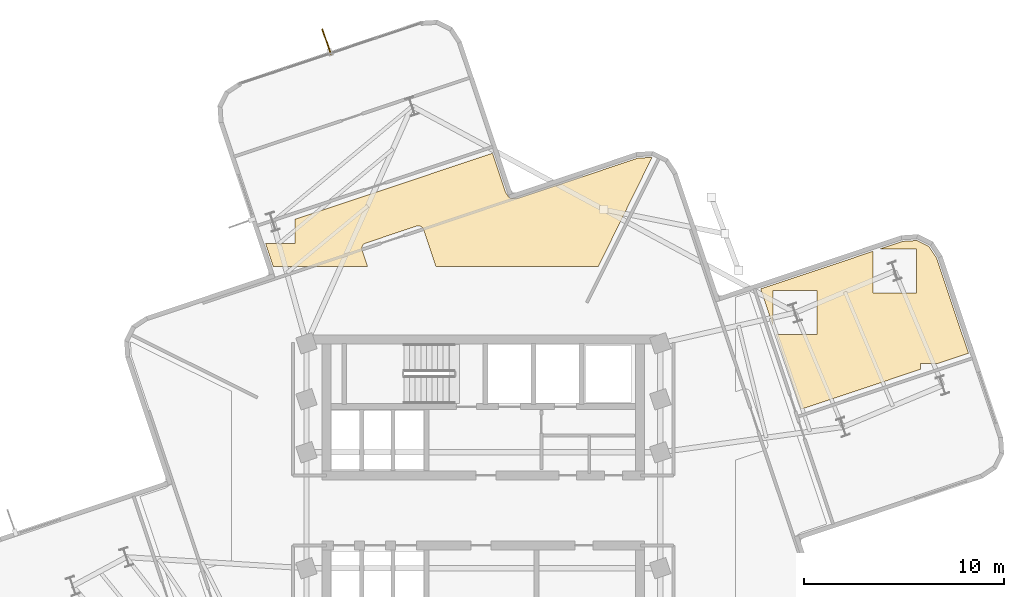
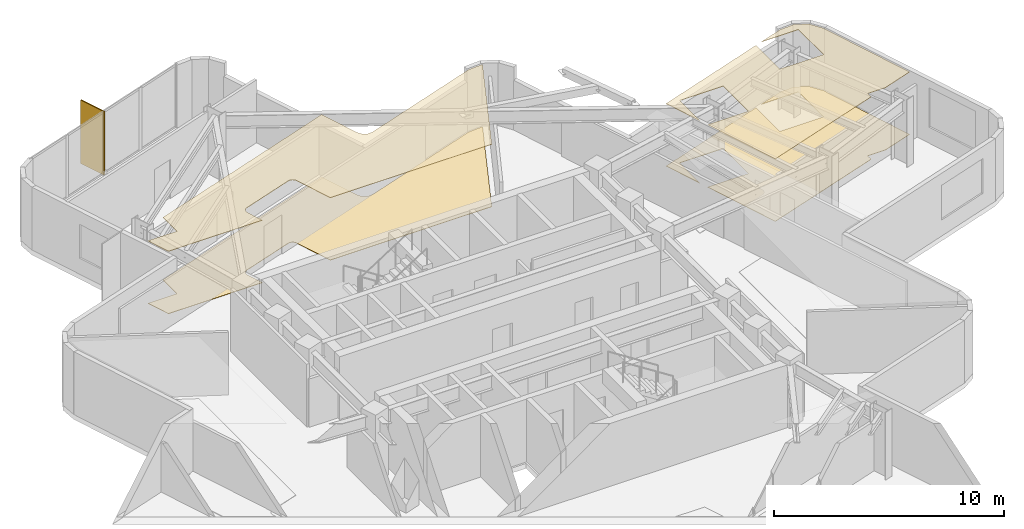
# One storey, part 12 of 12: 4 coverings, 1 shading device.
"""IFC4 building model written with IfcOpenShell, lengths in metres."""

from ifc_helpers import new_model, si_unit, direction, frame, origin, origin_2d, place, context, subcontext, project, spatial, polyline, rectangle, outline, extrude, material, layer, layer_set, type_object, element, save


model = new_model("IFC4")

# Units and contexts
model_context = context("Model", 3, precision=1e-05, world=origin(), true_north=direction((0.0, 1.0)))
body_context = subcontext(model_context, "Body", "Model", "MODEL_VIEW")
ifc_project = project(units=[si_unit("LENGTHUNIT", "METRE"), si_unit("AREAUNIT", "SQUARE_METRE"), si_unit("VOLUMEUNIT", "CUBIC_METRE"), si_unit("PLANEANGLEUNIT", "RADIAN"), si_unit("MASSUNIT", "GRAM", prefix="KILO")], contexts=[model_context])

# Site, building, storey
site_placement = place(None, origin())
site = spatial("IfcSite", under=ifc_project, at=site_placement, CompositionType="ELEMENT")
building_placement = place(site_placement, origin())
building = spatial("IfcBuilding", under=site, at=building_placement, Name="Solmarez Civic Tower", CompositionType="ELEMENT")
storey_placement = place(building_placement, frame((0.0, 0.0, 163.080078125)))
storey = spatial("IfcBuildingStorey", under=building, at=storey_placement, Name="L43", CompositionType="ELEMENT", Elevation=163.080078125)

# Coverings
ifc_material_1 = material(Name="Perforated Mineral-Fibre Acoustic Ceiling")
ifc_layer_1 = layer(ifc_material_1, 0.02490234375)
ifc_layer_set_1 = layer_set([ifc_layer_1], Name="Perforated Mineral-Fibre Acoustic Ceiling")
covering_type_1 = type_object("IfcCoveringType", Name="COV-CEIL-ACOUSTIC", PredefinedType="CEILING", material=ifc_layer_set_1)
covering_1_placement = place(storey_placement, frame((0.0, 0.0, 3.31494140625)))
element("IfcCovering", 1, at=covering_1_placement, inside=storey, type_object=covering_type_1, Name="L43 Suspended Acoustic Ceiling 1", PredefinedType="CEILING", context=body_context, shape_type="SweptSolid", body=[
    extrude(outline(polyline([(-9.43310546875, 14.549072265625), (-9.43310546875, 13.3330078125), (-10.89404296875, 13.3330078125), (-10.513916015625, 12.199951171875), (-5.7900390625, 12.199951171875), (-6.06298828125, 13.01611328125), (-6.068115234375, 13.030029296875), (-6.072998046875, 13.050048828125), (-6.073974609375, 13.054931640625), (-6.076904296875, 13.075927734375), (-6.077880859375, 13.097900390625), (-6.077880859375, 13.10693359375), (-6.076904296875, 13.12890625), (-6.073974609375, 13.14990234375), (-6.072998046875, 13.155029296875), (-6.072021484375, 13.159912109375), (-6.06494140625, 13.18701171875), (-6.06201171875, 13.196044921875), (-6.053955078125, 13.215087890625), (-6.044921875, 13.23291015625), (-6.0400390625, 13.241943359375), (-6.030029296875, 13.259033203125), (-6.01708984375, 13.27490234375), (-6.00390625, 13.291015625), (-5.9970703125, 13.298095703125), (-5.97802734375, 13.31396484375), (-5.9580078125, 13.3291015625), (-5.949951171875, 13.333984375), (-5.922119140625, 13.347900390625), (-5.9130859375, 13.35205078125), (-5.89404296875, 13.360107421875), (-3.3359375, 14.216064453125), (-3.322021484375, 14.220947265625), (-3.302001953125, 14.22607421875), (-3.297119140625, 14.22705078125), (-3.27587890625, 14.22998046875), (-3.25390625, 14.23095703125), (-3.2451171875, 14.23095703125), (-3.222900390625, 14.22998046875), (-3.201904296875, 14.22705078125), (-3.197021484375, 14.22607421875), (-3.19189453125, 14.22509765625), (-3.1650390625, 14.218017578125), (-3.156005859375, 14.215087890625), (-3.134033203125, 14.2060546875), (-3.113037109375, 14.195068359375), (-3.10791015625, 14.19189453125), (-3.092041015625, 14.180908203125), (-3.077880859375, 14.169921875), (-3.072021484375, 14.1650390625), (-3.06201171875, 14.156982421875), (-3.048095703125, 14.14306640625), (-3.034912109375, 14.126953125), (-3.02294921875, 14.111083984375), (-3.01806640625, 14.10302734375), (-3.00390625, 14.074951171875), (-3.0, 14.06591796875), (-2.991943359375, 14.047119140625), (-2.3740234375, 12.199951171875), (5.75390625, 12.199951171875), (8.43505859375, 17.65087890625), (8.428955078125, 17.654052734375), (7.720947265625, 17.610107421875), (1.748046875, 15.611083984375), (1.738037109375, 15.60791015625), (1.73095703125, 15.60595703125), (1.701904296875, 15.60009765625), (1.695068359375, 15.59912109375), (1.68798828125, 15.597900390625), (1.6708984375, 15.595947265625), (1.4990234375, 15.5849609375), (1.485107421875, 15.5849609375), (1.47802734375, 15.5849609375), (1.450927734375, 15.5869140625), (1.43896484375, 15.587890625), (1.431884765625, 15.589111328125), (1.409912109375, 15.593994140625), (1.402099609375, 15.595947265625), (1.385009765625, 15.60107421875), (1.367919921875, 15.60693359375), (1.361083984375, 15.610107421875), (1.35009765625, 15.614990234375), (1.343994140625, 15.617919921875), (1.3330078125, 15.6240234375), (1.325927734375, 15.6279296875), (1.31005859375, 15.637939453125), (1.2939453125, 15.64990234375), (1.2880859375, 15.655029296875), (1.281982421875, 15.659912109375), (1.26708984375, 15.673095703125), (1.25390625, 15.68798828125), (1.2490234375, 15.694091796875), (1.235107421875, 15.712890625), (1.23095703125, 15.718994140625), (1.135986328125, 15.862060546875), (1.132080078125, 15.867919921875), (1.1220703125, 15.885009765625), (1.113037109375, 15.903076171875), (1.110107421875, 15.909912109375), (1.10302734375, 15.927001953125), (1.10107421875, 15.93310546875), (0.45703125, 17.85791015625), (-9.43310546875, 14.549072265625)])), origin(), (0.0, 0.0, 1.0), 0.02490234375),
])
covering_2_placement = place(storey_placement, frame((0.0, 0.0, 3.31494140625)))
element("IfcCovering", 2, at=covering_2_placement, inside=storey, type_object=covering_type_1, Name="L43 Suspended Acoustic Ceiling 5", PredefinedType="CEILING", context=body_context, shape_type="SweptSolid", body=[
    extrude(outline(polyline([(24.261962890625, 7.85400390625), (22.672119140625, 12.60595703125), (22.281005859375, 13.196044921875), (21.68408203125, 13.493896484375), (20.97607421875, 13.450927734375), (19.827880859375, 13.06689453125), (21.676025390625, 13.06689453125), (21.676025390625, 10.866943359375), (19.47607421875, 10.866943359375), (19.47607421875, 12.948974609375), (13.873046875, 11.073974609375), (14.493896484375, 9.218994140625), (14.493896484375, 10.98291015625), (16.694091796875, 10.98291015625), (16.694091796875, 8.782958984375), (14.639892578125, 8.782958984375), (15.887939453125, 5.052001953125), (21.867919921875, 7.052978515625), (21.867919921875, 7.347900390625), (22.75, 7.347900390625), (24.261962890625, 7.85400390625)])), origin(), (0.0, 0.0, 1.0), 0.02490234375),
])
ifc_material_2 = material(Name="Polished Tropical Stone Terrazzo Flooring", Category="masonry")
ifc_layer_2 = layer(ifc_material_2, 0.02001953125)
ifc_layer_set_2 = layer_set([ifc_layer_2], Name="Polished Tropical Stone Terrazzo Flooring")
covering_type_2 = type_object("IfcCoveringType", Name="COV-FLOOR-TERRAZZO", PredefinedType="FLOORING", material=ifc_layer_set_2)
covering_3_placement = place(storey_placement, origin())
element("IfcCovering", 3, at=covering_3_placement, inside=storey, type_object=covering_type_2, Name="L43 Terrazzo Floor Finish 1", PredefinedType="FLOORING", context=body_context, shape_type="SweptSolid", body=[
    extrude(outline(polyline([(-9.43310546875, 14.549072265625), (-9.43310546875, 13.3330078125), (-10.89404296875, 13.3330078125), (-10.513916015625, 12.199951171875), (-5.7900390625, 12.199951171875), (-6.06298828125, 13.01611328125), (-6.068115234375, 13.030029296875), (-6.072998046875, 13.050048828125), (-6.073974609375, 13.054931640625), (-6.076904296875, 13.075927734375), (-6.077880859375, 13.097900390625), (-6.077880859375, 13.10693359375), (-6.076904296875, 13.12890625), (-6.073974609375, 13.14990234375), (-6.072998046875, 13.155029296875), (-6.072021484375, 13.159912109375), (-6.06494140625, 13.18701171875), (-6.06201171875, 13.196044921875), (-6.053955078125, 13.215087890625), (-6.044921875, 13.23291015625), (-6.0400390625, 13.241943359375), (-6.030029296875, 13.259033203125), (-6.01708984375, 13.27490234375), (-6.00390625, 13.291015625), (-5.9970703125, 13.298095703125), (-5.97802734375, 13.31396484375), (-5.9580078125, 13.3291015625), (-5.949951171875, 13.333984375), (-5.922119140625, 13.347900390625), (-5.9130859375, 13.35205078125), (-5.89404296875, 13.360107421875), (-3.3359375, 14.216064453125), (-3.322021484375, 14.220947265625), (-3.302001953125, 14.22607421875), (-3.297119140625, 14.22705078125), (-3.27587890625, 14.22998046875), (-3.25390625, 14.23095703125), (-3.2451171875, 14.23095703125), (-3.222900390625, 14.22998046875), (-3.201904296875, 14.22705078125), (-3.197021484375, 14.22607421875), (-3.19189453125, 14.22509765625), (-3.1650390625, 14.218017578125), (-3.156005859375, 14.215087890625), (-3.134033203125, 14.2060546875), (-3.113037109375, 14.195068359375), (-3.10791015625, 14.19189453125), (-3.092041015625, 14.180908203125), (-3.077880859375, 14.169921875), (-3.072021484375, 14.1650390625), (-3.06201171875, 14.156982421875), (-3.048095703125, 14.14306640625), (-3.034912109375, 14.126953125), (-3.02294921875, 14.111083984375), (-3.01806640625, 14.10302734375), (-3.00390625, 14.074951171875), (-3.0, 14.06591796875), (-2.991943359375, 14.047119140625), (-2.3740234375, 12.199951171875), (5.75390625, 12.199951171875), (8.43505859375, 17.65087890625), (8.428955078125, 17.654052734375), (7.720947265625, 17.610107421875), (1.748046875, 15.611083984375), (1.738037109375, 15.60791015625), (1.73095703125, 15.60595703125), (1.701904296875, 15.60009765625), (1.695068359375, 15.59912109375), (1.68798828125, 15.597900390625), (1.6708984375, 15.595947265625), (1.4990234375, 15.5849609375), (1.485107421875, 15.5849609375), (1.47802734375, 15.5849609375), (1.450927734375, 15.5869140625), (1.43896484375, 15.587890625), (1.431884765625, 15.589111328125), (1.409912109375, 15.593994140625), (1.402099609375, 15.595947265625), (1.385009765625, 15.60107421875), (1.367919921875, 15.60693359375), (1.361083984375, 15.610107421875), (1.35009765625, 15.614990234375), (1.343994140625, 15.617919921875), (1.3330078125, 15.6240234375), (1.325927734375, 15.6279296875), (1.31005859375, 15.637939453125), (1.2939453125, 15.64990234375), (1.2880859375, 15.655029296875), (1.281982421875, 15.659912109375), (1.26708984375, 15.673095703125), (1.25390625, 15.68798828125), (1.2490234375, 15.694091796875), (1.235107421875, 15.712890625), (1.23095703125, 15.718994140625), (1.135986328125, 15.862060546875), (1.132080078125, 15.867919921875), (1.1220703125, 15.885009765625), (1.113037109375, 15.903076171875), (1.110107421875, 15.909912109375), (1.10302734375, 15.927001953125), (1.10107421875, 15.93310546875), (0.45703125, 17.85791015625), (-9.43310546875, 14.549072265625)])), origin(), (0.0, 0.0, 1.0), 0.02001953125),
])
covering_4_placement = place(storey_placement, origin())
element("IfcCovering", 4, at=covering_4_placement, inside=storey, type_object=covering_type_2, Name="L43 Terrazzo Floor Finish 5", PredefinedType="FLOORING", context=body_context, shape_type="SweptSolid", body=[
    extrude(outline(polyline([(24.261962890625, 7.85400390625), (22.672119140625, 12.60595703125), (22.281005859375, 13.196044921875), (21.68408203125, 13.493896484375), (20.97607421875, 13.450927734375), (19.827880859375, 13.06689453125), (21.676025390625, 13.06689453125), (21.676025390625, 10.866943359375), (19.47607421875, 10.866943359375), (19.47607421875, 12.948974609375), (13.873046875, 11.073974609375), (14.493896484375, 9.218994140625), (14.493896484375, 10.98291015625), (16.694091796875, 10.98291015625), (16.694091796875, 8.782958984375), (14.639892578125, 8.782958984375), (15.887939453125, 5.052001953125), (21.867919921875, 7.052978515625), (21.867919921875, 7.347900390625), (22.75, 7.347900390625), (24.261962890625, 7.85400390625)])), origin(), (0.0, 0.0, 1.0), 0.02001953125),
])

# Shading device
ifc_material_3 = material(Name="Bronze Anodised Aluminium EN AW-6063 T6", Category="aluminium")
ifc_layer_3 = layer(ifc_material_3, 0.06005859375)
ifc_layer_set_3 = layer_set([ifc_layer_3], Name="Bronze Anodised Aluminium EN AW-6063 T6")
shading_device_type = type_object("IfcShadingDeviceType", Name="FIN-BRONZE-Z34", PredefinedType="USERDEFINED", material=ifc_layer_set_3)
shading_device_placement = place(storey_placement, frame((-7.842041015625, 23.43798828125, -0.0400390625), z_axis=(0.0, 0.0, 1.0), x_axis=(-0.328075372528, 0.944651549483, 0.0)))
element("IfcShadingDevice", 5, at=shading_device_placement, inside=storey, type_object=shading_device_type, Name="L43 Anodised Bronze Solar Fin FIN-L43-04", ObjectType="FIN", PredefinedType="USERDEFINED", context=body_context, shape_type="SweptSolid", body=[
    extrude(rectangle(XDim=1.35009765625, YDim=0.06005859375, at=origin_2d()), origin(), (0.0, 0.0, 1.0), 3.3798828125),
])

save(model, "model.ifc")
